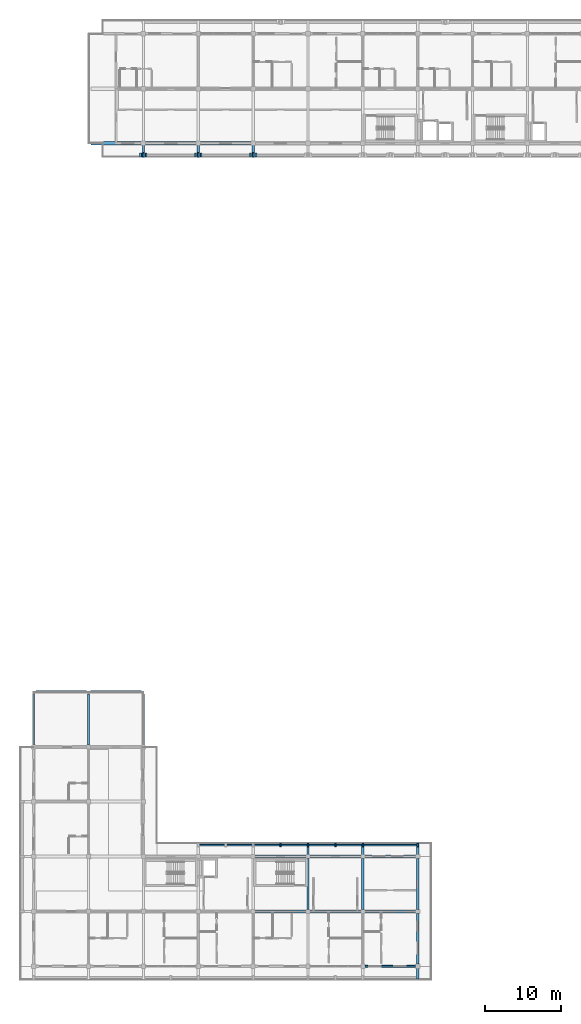
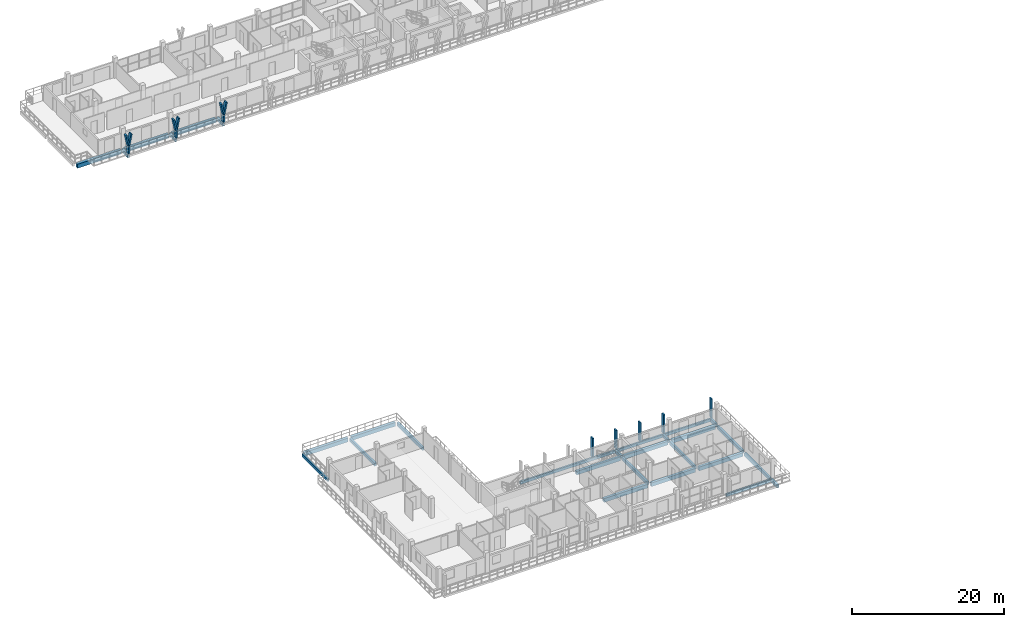
# One storey, part 7 of 67: 27 beams, 14 members.
"""IFC4 building model written with IfcOpenShell, lengths in metres."""

import ifcopenshell
import ifcopenshell.guid

model = None  # the IFC model being written
_history = None  # IfcOwnerHistory: only IFC2X3 demands one
_inside = {}  # id of a spatial element -> (the spatial element, [elements in it])
_under = {}  # id of a project, library or spatial element -> (it, [spatial elements below it])
_declared = {}  # id of a project -> (the project, [libraries it declares])
_typed = {}  # id of a type object -> (the type object, [elements of that type])
_made_of = {}  # id of a material, layer set ... -> (it, [elements and type objects made of it])


def new_model(schema):
    """Start an empty IFC model of exactly this schema.

    Asked for "IFC4X3", IfcOpenShell would pick the latest addendum, in which some entities
    have other attributes; the version numbers below select the first issue.
    IFC2X3 requires an IfcOwnerHistory on every rooted entity: one is made here for all.
    """
    global model, _history
    if schema == "IFC4X3":
        model = ifcopenshell.file(schema_version=(4, 3, 0, 0))
    else:
        model = ifcopenshell.file(schema=schema)
    _inside.clear()
    _under.clear()
    _declared.clear()
    _typed.clear()
    _made_of.clear()
    _history = None
    if model.schema == "IFC2X3":
        org = make("IfcOrganization", Name="unknown")
        user = make(
            "IfcPersonAndOrganization",
            ThePerson=make("IfcPerson", FamilyName="unknown"),
            TheOrganization=org,
        )
        app = make(
            "IfcApplication",
            ApplicationDeveloper=org,
            Version="unknown",
            ApplicationFullName="unknown",
            ApplicationIdentifier="unknown",
        )
        _history = make(
            "IfcOwnerHistory",
            OwningUser=user,
            OwningApplication=app,
            ChangeAction="ADDED",
            CreationDate=0,
        )
    return model


def make(cls, **values):
    """One entity of the class cls with the attributes given. An attribute that is None is left unset."""
    return model.create_entity(
        cls, **{name: value for name, value in values.items() if value is not None}
    )


def rooted(cls, **values):
    """An entity with a GlobalId (a new one), such as an element, a storey or a relation."""
    return make(cls, GlobalId=ifcopenshell.guid.new(), OwnerHistory=_history, **values)


def si_unit(unit_type, name, prefix=None):
    """IfcSIUnit, for example si_unit("LENGTHUNIT", "METRE", prefix="MILLI")."""
    return make("IfcSIUnit", UnitType=unit_type, Prefix=prefix, Name=name)


def assignment(units):
    """IfcUnitAssignment: the units of a project."""
    return None if units is None else make("IfcUnitAssignment", Units=units)


def point(xyz):
    """IfcCartesianPoint."""
    return None if xyz is None else make("IfcCartesianPoint", Coordinates=xyz)


def direction(xyz):
    """IfcDirection."""
    return None if xyz is None else make("IfcDirection", DirectionRatios=xyz)


def frame(location, z_axis=None, x_axis=None):
    """IfcAxis2Placement3D, a coordinate frame: its origin and axes. An axis left out is left unset."""
    return make(
        "IfcAxis2Placement3D",
        Location=point(location),
        Axis=direction(z_axis),
        RefDirection=direction(x_axis),
    )


def frame_2d(location, x_axis=None):
    """IfcAxis2Placement2D, a coordinate frame in the plane: its origin and x axis."""
    return make(
        "IfcAxis2Placement2D", Location=point(location), RefDirection=direction(x_axis)
    )


def origin():
    """The frame at (0, 0, 0) with its axes left unset."""
    return frame((0.0, 0.0, 0.0))


def origin_2d():
    """The frame at (0, 0) in the plane with its x axis left unset."""
    return frame_2d((0.0, 0.0))


def place(relative_to, where):
    """IfcLocalPlacement: puts the frame where relative to a parent placement (None: the world)."""
    return make(
        "IfcLocalPlacement", PlacementRelTo=relative_to, RelativePlacement=where
    )


def context(
    kind, dimensions, precision=None, world=None, true_north=None, identifier=None
):
    """IfcGeometricRepresentationContext, for example the 3D "Model" context."""
    return make(
        "IfcGeometricRepresentationContext",
        ContextIdentifier=identifier,
        ContextType=kind,
        CoordinateSpaceDimension=dimensions,
        Precision=precision,
        WorldCoordinateSystem=world,
        TrueNorth=true_north,
    )


def subcontext(parent, identifier, kind, view, scale=None):
    """IfcGeometricRepresentationSubContext, for example "Body" below "Model"."""
    return make(
        "IfcGeometricRepresentationSubContext",
        ContextIdentifier=identifier,
        ContextType=kind,
        ParentContext=parent,
        TargetScale=scale,
        TargetView=view,
    )


def project(units=None, contexts=None):
    """IfcProject with its units and contexts."""
    return rooted(
        "IfcProject",
        Name="project",
        RepresentationContexts=contexts,
        UnitsInContext=assignment(units),
    )


def spatial(cls, under=None, at=None, **own):
    """A site, building, storey or space (cls), placed at a placement, below another one or the project."""
    s = rooted(cls, ObjectPlacement=at, **own)
    if under is not None:
        _under.setdefault(under.id(), (under, []))[1].append(s)
    return s


def profile(cls, at=None, kind="AREA", **sizes):
    """A parametric profile (cls). Its sizes go by their IFC names, for example OverallWidth=200.0."""
    return make(cls, ProfileType=kind, Position=at, **sizes)


def rectangle(**sizes):
    """IfcRectangleProfileDef."""
    return profile("IfcRectangleProfileDef", **sizes)


def extrude(swept, where, along, depth):
    """IfcExtrudedAreaSolid: the profile swept, set in the frame where, extruded along a direction by depth."""
    return make(
        "IfcExtrudedAreaSolid",
        SweptArea=swept,
        Position=where,
        ExtrudedDirection=direction(along),
        Depth=depth,
    )


def shape(context_of_items, identifier, shape_type, items):
    """IfcShapeRepresentation: the items that make up one representation, for example the "Body"."""
    return make(
        "IfcShapeRepresentation",
        ContextOfItems=context_of_items,
        RepresentationIdentifier=identifier,
        RepresentationType=shape_type,
        Items=items,
    )


def material(Name=None, Category=None):
    """IfcMaterial."""
    return make("IfcMaterial", Name=Name, Category=Category)


def material_profile(
    of_material, cross_section, Name=None, Category=None, Priority=None
):
    """IfcMaterialProfile: a cross section and its material."""
    return make(
        "IfcMaterialProfile",
        Name=Name,
        Material=of_material,
        Profile=cross_section,
        Priority=Priority,
        Category=Category,
    )


def profile_set(profiles, Name=None, composite=None):
    """IfcMaterialProfileSet."""
    return make(
        "IfcMaterialProfileSet",
        Name=Name,
        MaterialProfiles=profiles,
        CompositeProfile=composite,
    )


def made_of(thing, what):
    """Note that an element or type object is made of a material, layer set ...; save() writes the relation."""
    if what is not None:
        _made_of.setdefault(what.id(), (what, []))[1].append(thing)
    return thing


def type_object(cls, material=None, **own):
    """A type object (cls), such as IfcWallType, which elements share."""
    return made_of(rooted(cls, **own), material)


def element(
    cls,
    number,
    at=None,
    inside=None,
    cuts=None,
    type_object=None,
    material=None,
    context=None,
    identifier="Body",
    shape_type=None,
    held_by="IfcProductDefinitionShape",
    body=None,
    shapes=None,
    **own,
):
    """One element of the class cls, such as IfcWall. Its Tag is "e" and its number.

    at: its placement. inside: the storey or other place that contains it. cuts: it is an
    opening in that element (IfcRelVoidsElement). A single representation is given by context,
    identifier, shape_type and body (its items); several are given by shapes. held_by: the class
    of the entity that holds the representations. save() writes the other relations.
    """
    e = rooted(cls, Tag="e%d" % number, ObjectPlacement=at, **own)
    if body is not None:
        shapes = [shape(context, identifier, shape_type, body)]
    if shapes is not None:
        e.Representation = make(held_by, Representations=shapes)
    if inside is not None:
        _inside.setdefault(inside.id(), (inside, []))[1].append(e)
    if cuts is not None:
        rooted(
            "IfcRelVoidsElement", RelatingBuildingElement=cuts, RelatedOpeningElement=e
        )
    if type_object is not None:
        _typed.setdefault(type_object.id(), (type_object, []))[1].append(e)
    return made_of(e, material)


def aggregate(whole, parts):
    """IfcRelAggregates: a whole, such as a stair, and the parts it consists of."""
    return rooted("IfcRelAggregates", RelatingObject=whole, RelatedObjects=parts)


def save(model, path):
    """Write the relations noted so far, then the file.

    IfcRelAggregates (storeys below a building ...), IfcRelContainedInSpatialStructure (elements
    in a storey), IfcRelDefinesByType, IfcRelAssociatesMaterial and IfcRelDeclares: one each for
    every whole, place, type object, material and project.
    """
    for whole, parts in _under.values():
        aggregate(whole, parts)
    for where, things in _inside.values():
        rooted(
            "IfcRelContainedInSpatialStructure",
            RelatedElements=things,
            RelatingStructure=where,
        )
    for kind, things in _typed.values():
        rooted("IfcRelDefinesByType", RelatedObjects=things, RelatingType=kind)
    for what, things in _made_of.values():
        rooted("IfcRelAssociatesMaterial", RelatedObjects=things, RelatingMaterial=what)
    for by, libraries in _declared.values():
        rooted("IfcRelDeclares", RelatingContext=by, RelatedDefinitions=libraries)
    model.write(path)


model = new_model("IFC4")

# Units and contexts
model_context = context("Model", 3, precision=1e-05, world=origin(), true_north=direction((0.0, 1.0)))
body_context = subcontext(model_context, "Body", "Model", "MODEL_VIEW")
ifc_project = project(units=[si_unit("LENGTHUNIT", "METRE"), si_unit("AREAUNIT", "SQUARE_METRE"), si_unit("VOLUMEUNIT", "CUBIC_METRE"), si_unit("PLANEANGLEUNIT", "RADIAN"), si_unit("MASSUNIT", "GRAM", prefix="KILO")], contexts=[model_context])

# Site, building, storey
site_placement = place(None, origin())
site = spatial("IfcSite", under=ifc_project, at=site_placement, CompositionType="ELEMENT")
building_placement = place(site_placement, origin())
building = spatial("IfcBuilding", under=site, at=building_placement, Name="Suanplinth Sawtooth Commons", CompositionType="ELEMENT")
storey_placement = place(building_placement, frame((0.0, 0.0, 25.10009765625)))
storey = spatial("IfcBuildingStorey", under=building, at=storey_placement, Name="L07", CompositionType="ELEMENT", Elevation=25.10009765625)

# Beams
ifc_material_1 = material(Name="Precast concrete C40/50", Category="concrete")
ifc_material_profile_1 = material_profile(ifc_material_1, rectangle(XDim=0.449951171875, YDim=0.64990234375, at=origin_2d()), Name="PC-GDR 450x650")
ifc_profile_set_1 = profile_set([ifc_material_profile_1], Name="Precast concrete C40/50")
beam_type_1 = type_object("IfcBeamType", Name="B-04", PredefinedType="USERDEFINED", material=ifc_profile_set_1)
for number, where, z_axis, x_axis, name in (
    (1, (7.5, 108.0, -0.545166015625), (1.0, 0.0, 0.0), (0.0, 1.0, 0.0), "BMX-L07-A-1-15"),
    (2, (14.699951171875, 108.0, -0.545166015625), (1.0, 0.0, 0.0), (0.0, 1.0, 0.0), "BMX-L07-A-2-15"),
    (3, (21.89990234375, 108.0, -0.545166015625), (1.0, 0.0, 0.0), (0.0, 1.0, 0.0), "BMX-L07-A-3-15"),
):
    element("IfcBeam", number, at=place(storey_placement, frame(where, z_axis=z_axis, x_axis=x_axis)), inside=storey, type_object=beam_type_1, Name=name, ObjectType="GIRDER", PredefinedType="USERDEFINED", context=body_context, shape_type="SweptSolid", body=[
        extrude(rectangle(XDim=0.449951171875, YDim=0.64990234375, at=origin_2d()), origin(), (0.0, 0.0, 1.0), 6.60009765625),
    ])
ifc_material_profile_2 = material_profile(ifc_material_1, rectangle(XDim=0.39990234375, YDim=0.60009765625, at=origin_2d()), Name="PC-GDR 400x600")
ifc_profile_set_2 = profile_set([ifc_material_profile_2], Name="Precast concrete C40/50")
beam_type_2 = type_object("IfcBeamType", Name="B-05", PredefinedType="USERDEFINED", material=ifc_profile_set_2)
beam_1_placement = place(storey_placement, frame((0.27490234375, 36.0, -0.52001953125), z_axis=(1.0, 0.0, 0.0), x_axis=(0.0, 1.0, 0.0)))
element("IfcBeam", 4, at=beam_1_placement, inside=storey, type_object=beam_type_2, Name="BMX-L07-D-0-5", ObjectType="GIRDER", PredefinedType="USERDEFINED", context=body_context, shape_type="SweptSolid", body=[
    extrude(rectangle(XDim=0.39990234375, YDim=0.60009765625, at=origin_2d()), origin(), (0.0, 0.0, 1.0), 6.650146484375),
])
beam_2_placement = place(storey_placement, frame((7.47509765625, 36.0, -0.52001953125), z_axis=(1.0, 0.0, 0.0), x_axis=(0.0, 1.0, 0.0)))
element("IfcBeam", 5, at=beam_2_placement, inside=storey, type_object=beam_type_2, Name="BMX-L07-D-1-5", ObjectType="GIRDER", PredefinedType="USERDEFINED", context=body_context, shape_type="SweptSolid", body=[
    extrude(rectangle(XDim=0.39990234375, YDim=0.60009765625, at=origin_2d()), origin(), (0.0, 0.0, 1.0), 6.64990234375),
])
for number, where, z_axis, x_axis, name in (
    (6, (29.074951171875, 7.199951171875, -0.52001953125), (1.0, 0.0, 0.0), (0.0, 1.0, 0.0), "BMX-L07-D-4-1"),
    (7, (29.074951171875, 14.39990234375, -0.52001953125), (1.0, 0.0, 0.0), (0.0, 1.0, 0.0), "BMX-L07-D-4-2"),
    (8, (36.27490234375, 7.199951171875, -0.52001953125), (1.0, 0.0, 0.0), (0.0, 1.0, 0.0), "BMX-L07-D-5-1"),
    (9, (36.27490234375, 14.39990234375, -0.52001953125), (1.0, 0.0, 0.0), (0.0, 1.0, 0.0), "BMX-L07-D-5-2"),
):
    element("IfcBeam", number, at=place(storey_placement, frame(where, z_axis=z_axis, x_axis=x_axis)), inside=storey, type_object=beam_type_2, Name=name, ObjectType="GIRDER", PredefinedType="USERDEFINED", context=body_context, shape_type="SweptSolid", body=[
        extrude(rectangle(XDim=0.39990234375, YDim=0.60009765625, at=origin_2d()), origin(), (0.0, 0.0, 1.0), 6.650146484375),
    ])
for number, where, z_axis, x_axis, name in (
    (10, (43.47509765625, 7.199951171875, -0.52001953125), (1.0, 0.0, 0.0), (0.0, 1.0, 0.0), "BMX-L07-D-6-1"),
    (11, (43.47509765625, 14.39990234375, -0.52001953125), (1.0, 0.0, 0.0), (0.0, 1.0, 0.0), "BMX-L07-D-6-2"),
):
    element("IfcBeam", number, at=place(storey_placement, frame(where, z_axis=z_axis, x_axis=x_axis)), inside=storey, type_object=beam_type_2, Name=name, ObjectType="GIRDER", PredefinedType="USERDEFINED", context=body_context, shape_type="SweptSolid", body=[
        extrude(rectangle(XDim=0.39990234375, YDim=0.60009765625, at=origin_2d()), origin(), (0.0, 0.0, 1.0), 6.64990234375),
    ])
ifc_material_profile_3 = material_profile(ifc_material_1, rectangle(XDim=0.300048828125, YDim=0.5, at=origin_2d()), Name="PC-BM 300x500")
ifc_profile_set_3 = profile_set([ifc_material_profile_3], Name="Precast concrete C40/50")
beam_type_3 = type_object("IfcBeamType", Name="B-07", PredefinedType="BEAM", material=ifc_profile_set_3)
for number, where, z_axis, x_axis, name in (
    (12, (7.199951171875, 29.074951171875, -0.47021484375), (0.0, 1.0, 0.0), (-1.0, 0.0, 0.0), "BMY-L07-D-1-4"),
    (13, (14.39990234375, 29.074951171875, -0.47021484375), (0.0, 1.0, 0.0), (-1.0, 0.0, 0.0), "BMY-L07-D-2-4"),
):
    element("IfcBeam", number, at=place(storey_placement, frame(where, z_axis=z_axis, x_axis=x_axis)), inside=storey, type_object=beam_type_3, Name=name, PredefinedType="BEAM", context=body_context, shape_type="SweptSolid", body=[
        extrude(rectangle(XDim=0.300048828125, YDim=0.5, at=origin_2d()), origin(), (0.0, 0.0, 1.0), 6.650146484375),
    ])
for number, where, z_axis, x_axis, name in (
    (14, (36.0, 7.47509765625, -0.47021484375), (0.0, 1.0, 0.0), (-1.0, 0.0, 0.0), "BMY-L07-D-5-1"),
    (15, (43.199951171875, 7.47509765625, -0.47021484375), (0.0, 1.0, 0.0), (-1.0, 0.0, 0.0), "BMY-L07-D-6-1"),
):
    element("IfcBeam", number, at=place(storey_placement, frame(where, z_axis=z_axis, x_axis=x_axis)), inside=storey, type_object=beam_type_3, Name=name, PredefinedType="BEAM", context=body_context, shape_type="SweptSolid", body=[
        extrude(rectangle(XDim=0.300048828125, YDim=0.5, at=origin_2d()), origin(), (0.0, 0.0, 1.0), 6.64990234375),
    ])
beam_3_placement = place(storey_placement, frame((50.39990234375, 0.27490234375, -0.47021484375), z_axis=(0.0, 1.0, 0.0), x_axis=(-1.0, 0.0, 0.0)))
element("IfcBeam", 16, at=beam_3_placement, inside=storey, type_object=beam_type_3, Name="BMY-L07-D-7-0", PredefinedType="BEAM", context=body_context, shape_type="SweptSolid", body=[
    extrude(rectangle(XDim=0.300048828125, YDim=0.5, at=origin_2d()), origin(), (0.0, 0.0, 1.0), 6.650146484375),
])
beam_4_placement = place(storey_placement, frame((50.39990234375, 7.47509765625, -0.47021484375), z_axis=(0.0, 1.0, 0.0), x_axis=(-1.0, 0.0, 0.0)))
element("IfcBeam", 17, at=beam_4_placement, inside=storey, type_object=beam_type_3, Name="BMY-L07-D-7-1", PredefinedType="BEAM", context=body_context, shape_type="SweptSolid", body=[
    extrude(rectangle(XDim=0.300048828125, YDim=0.5, at=origin_2d()), origin(), (0.0, 0.0, 1.0), 6.64990234375),
])
for number, where, z_axis, x_axis, name in (
    (18, (14.39990234375, 108.0, -0.43017578125), (0.0, -1.0, 0.0), (1.0, 0.0, 0.0), "Balcony Outrigger L07-A-S-2"),
    (19, (21.60009765625, 108.0, -0.43017578125), (0.0, -1.0, 0.0), (1.0, 0.0, 0.0), "Balcony Outrigger L07-A-S-3"),
    (20, (28.800048828125, 108.0, -0.43017578125), (0.0, -1.0, 0.0), (1.0, 0.0, 0.0), "Balcony Outrigger L07-A-S-4"),
    (21, (50.39990234375, 0.0, -0.43017578125), (0.0, -1.0, 0.0), (1.0, 0.0, 0.0), "Balcony Outrigger L07-D-S-7"),
):
    element("IfcBeam", number, at=place(storey_placement, frame(where, z_axis=z_axis, x_axis=x_axis)), inside=storey, type_object=beam_type_3, Name=name, PredefinedType="BEAM", context=body_context, shape_type="SweptSolid", body=[
        extrude(rectangle(XDim=0.300048828125, YDim=0.5, at=origin_2d()), origin(), (0.0, 0.0, 1.0), 1.639892578125),
    ])
for number, where, z_axis, x_axis, name in (
    (22, (36.0, 14.39990234375, -0.425048828125), (0.0, 1.0, 0.0), (-1.0, 0.0, 0.0), "Balcony Outrigger L07-D-NC-5"),
    (23, (43.199951171875, 14.39990234375, -0.425048828125), (0.0, 1.0, 0.0), (-1.0, 0.0, 0.0), "Balcony Outrigger L07-D-NC-6"),
    (24, (50.39990234375, 14.39990234375, -0.425048828125), (0.0, 1.0, 0.0), (-1.0, 0.0, 0.0), "Balcony Outrigger L07-D-NC-7"),
):
    element("IfcBeam", number, at=place(storey_placement, frame(where, z_axis=z_axis, x_axis=x_axis)), inside=storey, type_object=beam_type_3, Name=name, PredefinedType="BEAM", context=body_context, shape_type="SweptSolid", body=[
        extrude(rectangle(XDim=0.300048828125, YDim=0.5, at=origin_2d()), origin(), (0.0, 0.0, 1.0), 1.64013671875),
    ])
ifc_material_profile_4 = material_profile(ifc_material_1, rectangle(XDim=0.25, YDim=0.449951171875, at=origin_2d()), Name="PC-SP 250x450")
ifc_profile_set_4 = profile_set([ifc_material_profile_4], Name="Precast concrete C40/50")
beam_type_4 = type_object("IfcBeamType", Name="B-09", PredefinedType="SPANDREL", material=ifc_profile_set_4)
beam_5_placement = place(storey_placement, frame((43.47509765625, 0.0, -0.445068359375), z_axis=(1.0, 0.0, 0.0), x_axis=(0.0, 1.0, 0.0)))
element("IfcBeam", 25, at=beam_5_placement, inside=storey, type_object=beam_type_4, Name="BMX-L07-D-6-0", PredefinedType="SPANDREL", context=body_context, shape_type="SweptSolid", body=[
    extrude(rectangle(XDim=0.25, YDim=0.449951171875, at=origin_2d()), origin(), (0.0, 0.0, 1.0), 6.64990234375),
])
beam_6_placement = place(storey_placement, frame((0.0, 29.074951171875, -0.445068359375), z_axis=(0.0, 1.0, 0.0), x_axis=(-1.0, 0.0, 0.0)))
element("IfcBeam", 26, at=beam_6_placement, inside=storey, type_object=beam_type_4, Name="BMY-L07-D-0-4", PredefinedType="SPANDREL", context=body_context, shape_type="SweptSolid", body=[
    extrude(rectangle(XDim=0.25, YDim=0.449951171875, at=origin_2d()), origin(), (0.0, 0.0, 1.0), 6.650146484375),
])
beam_7_placement = place(storey_placement, frame((21.449951171875, 15.919921875, -0.400146484375), z_axis=(1.0, 0.0, 0.0), x_axis=(0.0, 1.0, 0.0)))
element("IfcBeam", 27, at=beam_7_placement, inside=storey, type_object=beam_type_4, Name="Balcony Edge Fascia L07-D-NC", PredefinedType="SPANDREL", context=body_context, shape_type="SweptSolid", body=[
    extrude(rectangle(XDim=0.25, YDim=0.449951171875, at=origin_2d()), origin(), (0.0, 0.0, 1.0), 29.10009765625),
])

# Members
ifc_material_2 = material(Name="Pigmented precast concrete C40/50", Category="concrete")
ifc_material_profile_5 = material_profile(ifc_material_2, rectangle(XDim=0.260009765625, YDim=0.550048828125, at=origin_2d()), Name="PC-FIN 260x550")
ifc_profile_set_5 = profile_set([ifc_material_profile_5], Name="Pigmented precast concrete C40/50")
member_type_1 = type_object("IfcMemberType", Name="M-09", PredefinedType="USERDEFINED", material=ifc_profile_set_5)
for number, where, z_axis, x_axis, name in (
    (28, (14.39990234375, 106.47998046875, 0.0), (0.0, 0.0, 1.0), (1.0, 0.0, 0.0), "Y-Blade Stem L07-A-S-05"),
    (29, (21.60009765625, 106.47998046875, 0.0), (0.0, 0.0, 1.0), (1.0, 0.0, 0.0), "Y-Blade Stem L07-A-S-06"),
    (30, (28.800048828125, 106.47998046875, 0.0), (0.0, 0.0, 1.0), (1.0, 0.0, 0.0), "Y-Blade Stem L07-A-S-07"),
):
    element("IfcMember", number, at=place(storey_placement, frame(where, z_axis=z_axis, x_axis=x_axis)), inside=storey, type_object=member_type_1, Name=name, ObjectType="SHADING FIN", PredefinedType="USERDEFINED", context=body_context, shape_type="SweptSolid", body=[
        extrude(rectangle(XDim=0.260009765625, YDim=0.550048828125, at=origin_2d()), origin(), (0.0, 0.0, 1.0), 1.169921875),
    ])
ifc_material_profile_6 = material_profile(ifc_material_2, rectangle(XDim=0.219970703125, YDim=0.550048828125, at=origin_2d()), Name="PC-FIN 220x550")
ifc_profile_set_6 = profile_set([ifc_material_profile_6], Name="Pigmented precast concrete C40/50")
member_type_2 = type_object("IfcMemberType", Name="M-10", PredefinedType="USERDEFINED", material=ifc_profile_set_6)
member_1_placement = place(storey_placement, frame((14.39990234375, 106.47998046875, 1.1298828125), z_axis=(-0.196309979414, 0.0, 0.980541886909), x_axis=(0.980541886909, 0.0, 0.196309979414)))
element("IfcMember", 31, at=member_1_placement, inside=storey, type_object=member_type_2, Name="Y-Blade Arm L L07-A-S-05", ObjectType="SHADING FIN", PredefinedType="USERDEFINED", context=body_context, shape_type="SweptSolid", body=[
    extrude(rectangle(XDim=0.219970703125, YDim=0.550048828125, at=origin_2d()), origin(), (0.0, 0.0, 1.0), 1.9375),
])
for number, where, z_axis, x_axis, name in (
    (32, (14.39990234375, 106.47998046875, 1.1298828125), (0.196431120402, 0.0, 0.980517626021), (-0.980517626021, 0.0, 0.196431120402), "Y-Blade Arm R L07-A-S-05"),
    (33, (21.60009765625, 106.47998046875, 1.1298828125), (-0.196431120402, 0.0, 0.980517626021), (0.980517626021, 0.0, 0.196431120402), "Y-Blade Arm L L07-A-S-06"),
):
    element("IfcMember", number, at=place(storey_placement, frame(where, z_axis=z_axis, x_axis=x_axis)), inside=storey, type_object=member_type_2, Name=name, ObjectType="SHADING FIN", PredefinedType="USERDEFINED", context=body_context, shape_type="SweptSolid", body=[
        extrude(rectangle(XDim=0.219970703125, YDim=0.550048828125, at=origin_2d()), origin(), (0.0, 0.0, 1.0), 1.937744140625),
    ])
member_2_placement = place(storey_placement, frame((21.60009765625, 106.47998046875, 1.1298828125), z_axis=(0.196309979414, 0.0, 0.980541886909), x_axis=(-0.980541886909, 0.0, 0.196309979414)))
element("IfcMember", 34, at=member_2_placement, inside=storey, type_object=member_type_2, Name="Y-Blade Arm R L07-A-S-06", ObjectType="SHADING FIN", PredefinedType="USERDEFINED", context=body_context, shape_type="SweptSolid", body=[
    extrude(rectangle(XDim=0.219970703125, YDim=0.550048828125, at=origin_2d()), origin(), (0.0, 0.0, 1.0), 1.9375),
])
member_3_placement = place(storey_placement, frame((28.800048828125, 106.47998046875, 1.1298828125), z_axis=(-0.196431120402, 0.0, 0.980517626021), x_axis=(0.980517626021, 0.0, 0.196431120402)))
element("IfcMember", 35, at=member_3_placement, inside=storey, type_object=member_type_2, Name="Y-Blade Arm L L07-A-S-07", ObjectType="SHADING FIN", PredefinedType="USERDEFINED", context=body_context, shape_type="SweptSolid", body=[
    extrude(rectangle(XDim=0.219970703125, YDim=0.550048828125, at=origin_2d()), origin(), (0.0, 0.0, 1.0), 1.937744140625),
])
member_4_placement = place(storey_placement, frame((28.800048828125, 106.47998046875, 1.1298828125), z_axis=(0.196309979414, 0.0, 0.980541886909), x_axis=(-0.980541886909, 0.0, 0.196309979414)))
element("IfcMember", 36, at=member_4_placement, inside=storey, type_object=member_type_2, Name="Y-Blade Arm R L07-A-S-07", ObjectType="SHADING FIN", PredefinedType="USERDEFINED", context=body_context, shape_type="SweptSolid", body=[
    extrude(rectangle(XDim=0.219970703125, YDim=0.550048828125, at=origin_2d()), origin(), (0.0, 0.0, 1.0), 1.9375),
])
ifc_material_profile_7 = material_profile(ifc_material_2, rectangle(XDim=0.2099609375, YDim=0.52001953125, at=origin_2d()), Name="PC-FIN 210x520")
ifc_profile_set_7 = profile_set([ifc_material_profile_7], Name="Pigmented precast concrete C40/50")
member_type_3 = type_object("IfcMemberType", Name="M-12", PredefinedType="USERDEFINED", material=ifc_profile_set_7)
for number, where, z_axis, x_axis, name in (
    (37, (32.39990234375, 15.919921875, 0.0), (0.0, 0.0, 1.0), (1.0, 0.0, 0.0), "Upright Solar Blade L07-D-NC-14"),
    (38, (36.0, 15.919921875, 0.0), (0.0, 0.0, 1.0), (1.0, 0.0, 0.0), "Upright Solar Blade L07-D-NC-15"),
    (39, (39.60009765625, 15.919921875, 0.0), (0.0, 0.0, 1.0), (1.0, 0.0, 0.0), "Upright Solar Blade L07-D-NC-16"),
    (40, (43.199951171875, 15.919921875, 0.0), (0.0, 0.0, 1.0), (1.0, 0.0, 0.0), "Upright Solar Blade L07-D-NC-17"),
    (41, (50.39990234375, 15.919921875, 0.0), (0.0, 0.0, 1.0), (1.0, 0.0, 0.0), "Upright Solar Blade L07-D-NC-18"),
):
    element("IfcMember", number, at=place(storey_placement, frame(where, z_axis=z_axis, x_axis=x_axis)), inside=storey, type_object=member_type_3, Name=name, ObjectType="SHADING FIN", PredefinedType="USERDEFINED", context=body_context, shape_type="SweptSolid", body=[
        extrude(rectangle(XDim=0.2099609375, YDim=0.52001953125, at=origin_2d()), origin(), (0.0, 0.0, 1.0), 3.02978515625),
    ])

save(model, "model.ifc")
